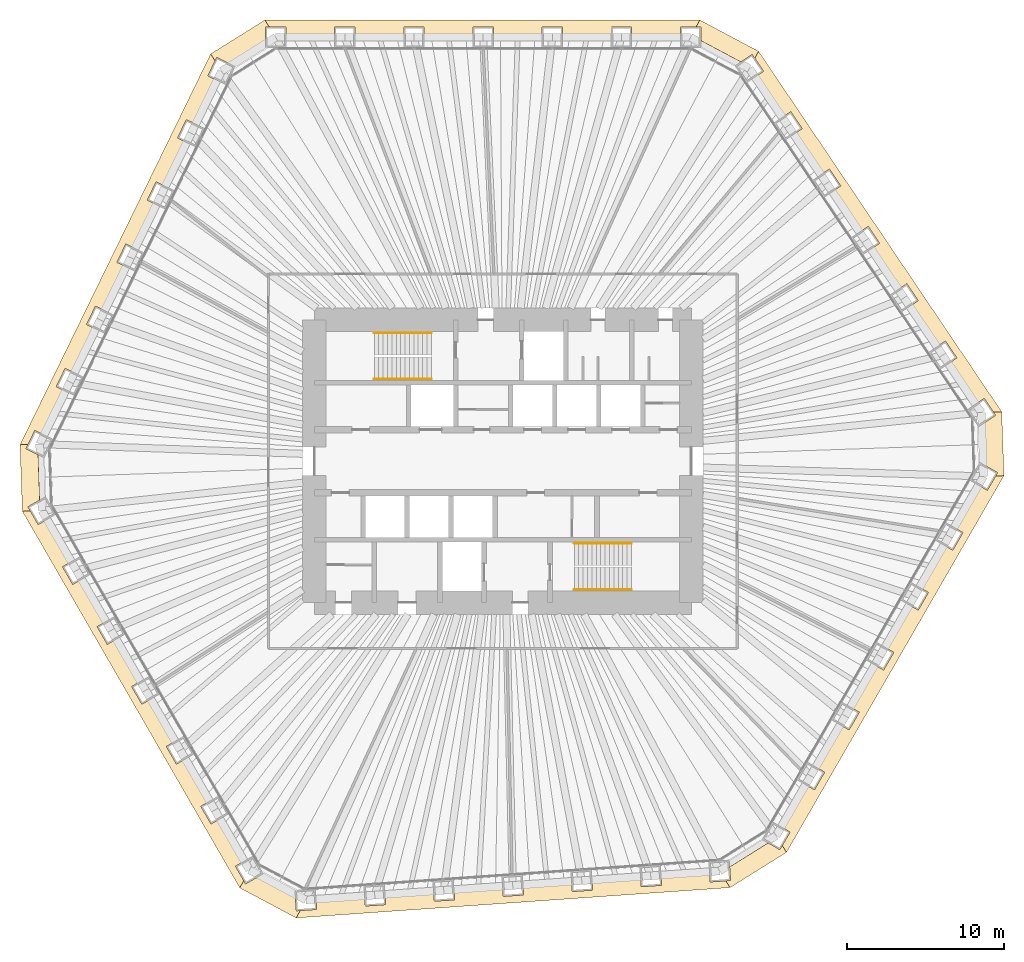
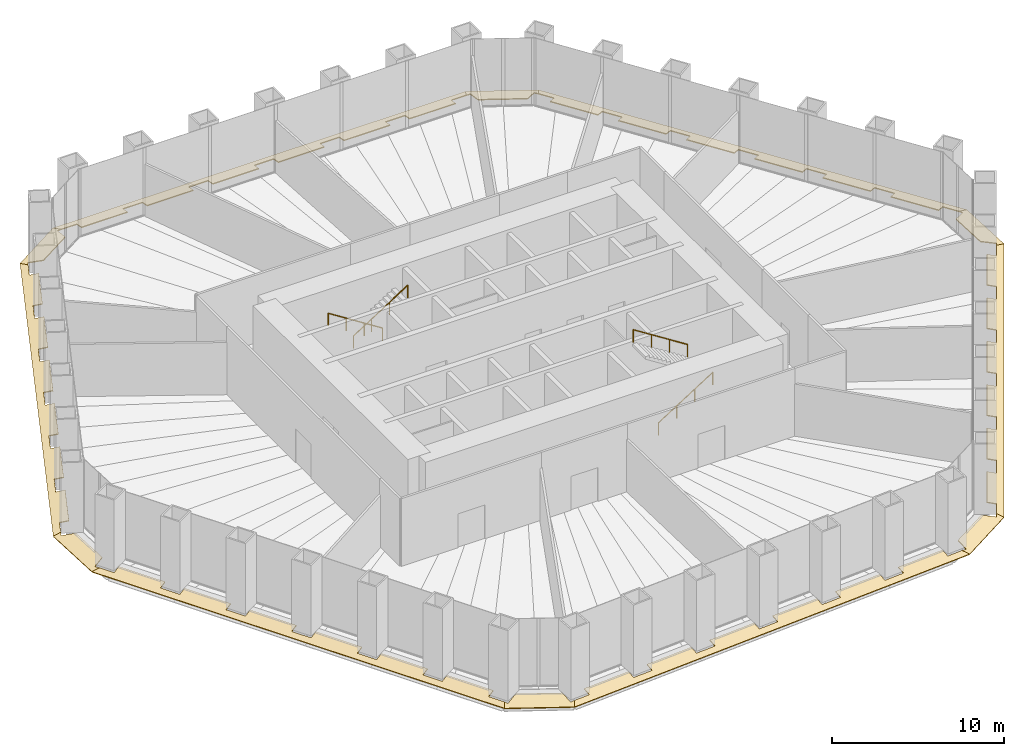
# One storey, part 14 of 14: 12 coverings, 4 railings.
"""IFC4 building model written with IfcOpenShell, lengths in metres."""

from ifc_helpers import new_model, si_unit, direction, frame, origin, origin_2d, place, context, subcontext, project, spatial, polyline, circle, outline, extrude, material, layer, layer_set, type_object, element, save


model = new_model("IFC4")

# Units and contexts
model_context = context("Model", 3, precision=1e-05, world=origin(), true_north=direction((0.0, 1.0)))
body_context = subcontext(model_context, "Body", "Model", "MODEL_VIEW")
ifc_project = project(units=[si_unit("LENGTHUNIT", "METRE"), si_unit("AREAUNIT", "SQUARE_METRE"), si_unit("VOLUMEUNIT", "CUBIC_METRE"), si_unit("PLANEANGLEUNIT", "RADIAN"), si_unit("MASSUNIT", "GRAM", prefix="KILO")], contexts=[model_context])

# Site, building, storey
site_placement = place(None, origin())
site = spatial("IfcSite", under=ifc_project, at=site_placement, CompositionType="ELEMENT")
building_placement = place(site_placement, origin())
building = spatial("IfcBuilding", under=site, at=building_placement, Name="Qingtian Harvest Tower", CompositionType="ELEMENT")
storey_placement = place(building_placement, frame((0.0, 0.0, 57.0)))
storey = spatial("IfcBuildingStorey", under=building, at=storey_placement, Name="L11", CompositionType="ELEMENT", Elevation=57.0)

# Coverings
ifc_material_1 = material(Name="Bronze-finished aluminium plate", Category="aluminium")
ifc_layer = layer(ifc_material_1, 0.06005859375)
ifc_layer_set = layer_set([ifc_layer], Name="Bronze eave band EB2 mid-tier")
covering_type = type_object("IfcCoveringType", Name="Bronze eave band EB2 mid-tier", PredefinedType="CLADDING", material=ifc_layer_set)
covering_1_placement = place(storey_placement, frame((-13.821533203125, 27.10009765625, -0.02001953125), z_axis=(0.0, 0.196096135826, 0.980584675341), x_axis=(0.0, 0.980584675341, -0.196096135826)))
element("IfcCovering", 1, at=covering_1_placement, inside=storey, type_object=covering_type, Name="Eave band EB2 L11 1", PredefinedType="CLADDING", context=body_context, shape_type="SweptSolid", body=[
    extrude(outline(polyline([(0.0, 0.0), (0.5606738159155767, 0.0), (0.5606738159155767, 1.0561523437499998), (1.019794327499821, 1.3374023437499998), (1.019794327499821, -26.362548828124993), (0.5606738159155767, -26.123291015624993), (0.5606738159155767, -25.127685546874993), (0.0, -25.127685546874993), (0.0, -22.023193359374996), (0.5606738159155767, -22.023193359374996), (0.5606738159155767, -20.723144531249996), (0.0, -20.723144531249996), (0.0, -17.618408203124996), (0.5606738159155767, -17.618408203124996), (0.5606738159155767, -16.318359374999996), (0.0, -16.318359374999996), (0.0, -13.213867187499996), (0.5606738159155767, -13.213867187499996), (0.5606738159155767, -11.913818359374998), (0.0, -11.913818359374998), (0.0, -8.809326171874998), (0.5606738159155767, -8.809326171874998), (0.5606738159155767, -7.509277343749998), (0.0, -7.509277343749998), (0.0, -4.404785156249999), (0.5606738159155767, -4.404785156249999), (0.5606738159155767, -3.104736328124999), (0.0, -3.104736328124999), (0.0, 0.0)])), origin(), (0.0, 0.0, -1.0), 0.06005859375),
])
covering_2_placement = place(storey_placement, frame((12.606201171875, 26.78271484375, -0.02001953125), z_axis=(0.081616170995, 0.153500679103, 0.984772228562), x_axis=(7.478439e-06, 0.988068493741, -0.154015101921)))
element("IfcCovering", 2, at=covering_2_placement, inside=storey, type_object=covering_type, Name="Eave band EB2 L11 2", PredefinedType="CLADDING", context=body_context, shape_type="SweptSolid", body=[
    extrude(outline(polyline([(0.0, 0.0), (0.8776717910726501, 0.0), (0.8737589746143575, 0.3054752171395555), (1.3324594638570608, 0.06541313666985943), (-0.6335179762014777, -3.689315815985909), (-1.0919772377845764, -3.4492506648405654), (-0.8388798001175296, -3.27828454795195), (-1.338794453202815, -2.5568804121407798), (0.0, 0.0)])), origin(), (0.0, 0.0, -1.0), 0.06005859375),
])
covering_3_placement = place(storey_placement, frame((16.14453125, 24.52734375, -0.02001953125), z_axis=(0.162572694251, 0.109656749491, 0.980584272959), x_axis=(0.812937555356, 0.548341177979, -0.196098147935)))
element("IfcCovering", 3, at=covering_3_placement, inside=storey, type_object=covering_type, Name="Eave band EB2 L11 3", PredefinedType="CLADDING", context=body_context, shape_type="SweptSolid", body=[
    extrude(outline(polyline([(0.0, 0.0), (0.560967139704664, -2.0111950299606107e-17), (0.5610755128821447, 0.9955898071058692), (1.0199699981978012, 1.234821968269785), (1.0196661203927952, -26.465111113922433), (0.5607465607373809, -26.183965508397076), (0.5608451591270613, -25.127704423508987), (-0.00012198057760137715, -25.127704423508987), (-3.35813356677761e-05, -22.02297691815451), (0.56079968601109, -22.02317931902998), (0.5607992614326358, -20.723013950501738), (-0.00016787827202868755, -20.723013950501738), (-7.94790300950865e-05, -17.61828644514726), (0.5607537883166644, -17.618488846022732), (0.5609518348210614, -16.318460000497623), (-1.530488360312887e-05, -16.31846000049762), (-6.0777999573602415e-05, -13.213934896018614), (0.5609063617050909, -13.213934896018612), (0.5609059371266358, -11.913769527490372), (-6.120257802866291e-05, -11.913769527490372), (-0.00010667569400002463, -8.809244423011364), (0.5608604640106645, -8.809244423011366), (0.5607261670743044, -7.509281455358595), (9.137081039645167e-05, -7.5092155774862555), (4.589769442553404e-05, -4.404690473007248), (0.5608145663162392, -4.404553950004116), (0.5608787404627298, -3.104727505354478), (4.547311597069559e-05, -3.104525104479007), (0.0, 0.0)])), origin(), (0.0, 0.0, -1.0), 0.06005859375),
])
covering_4_placement = place(storey_placement, frame((30.618408203125, 2.41259765625, -0.02001953125), z_axis=(0.167090764902, 0.005836940402, 0.985924239691), x_axis=(0.820643173673, 0.553425295759, -0.142355974647)))
element("IfcCovering", 4, at=covering_4_placement, inside=storey, type_object=covering_type, Name="Eave band EB2 L11 4", PredefinedType="CLADDING", context=body_context, shape_type="SweptSolid", body=[
    extrude(outline(polyline([(0.0, 0.0), (0.9264033667533005, -6.071532165918825e-17), (0.9233528824418761, 0.24473703662410878), (1.3816113419977263, -0.03748485413125728), (-0.7531814744455725, -3.5033773387160103), (-1.2114399340014221, -3.2211554479606446), (-0.9914629168596766, -3.1137673412445737), (-1.408098253660865, -2.2861350565234138), (0.0, 0.0)])), origin(), (0.0, 0.0, -1.0), 0.06005859375),
])
covering_5_placement = place(storey_placement, frame((30.380126953125, -1.580322265625, -0.02001953125), z_axis=(0.169831478229, -0.098053665689, 0.980582861184), x_axis=(0.8492870149, -0.490157438957, -0.196105204821)))
element("IfcCovering", 5, at=covering_5_placement, inside=storey, type_object=covering_type, Name="Eave band EB2 L11 5", PredefinedType="CLADDING", context=body_context, shape_type="SweptSolid", body=[
    extrude(outline(polyline([(0.0, 0.0), (0.5608211876231275, 1.0970770732837698e-17), (0.5610355545411008, 1.056062275036254), (1.019961885493393, 1.3371968256814386), (1.015527628109012, -26.36273546752884), (0.556725644219439, -26.123439636791893), (0.5568379852802805, -25.127760509902224), (-0.00410286968634388, -25.12754905943156), (-0.0035772049059641375, -22.02313705611712), (0.5572439827171627, -22.023137056117122), (0.5576188288226975, -20.7231509811158), (-0.003322026143925072, -20.72293953064513), (-0.002916028707043772, -17.618316076860026), (0.5580248262595788, -17.618527527330695), (0.5580726595589962, -16.31845204014438), (-0.0027485280641315057, -16.31845204014438), (-0.0021351851646267406, -13.213706548073601), (0.558805669801995, -13.213917998544268), (0.5588535031014124, -11.913842511357954), (-0.0019676845217153627, -11.913842511357956), (-0.0015616870848331743, -8.80921905757285), (0.5592595005382941, -8.809219057572848), (0.5596343466438289, -7.50923298257153), (-0.0011868409792983314, -7.509232982571531), (-0.0007808435424165872, -4.404609528786425), (0.5600403440807109, -4.404609528786425), (0.5602078447236235, -3.1047454920707787), (-0.0007330102429994323, -3.1045340416001093), (0.0, 0.0)])), origin(), (0.0, 0.0, -1.0), 0.06005859375),
])
covering_6_placement = place(storey_placement, frame((16.891357421875, -24.30859375, -0.02001953125), z_axis=(0.092131944712, -0.147437831446, 0.984770933071), x_axis=(0.85575133074, -0.493933179317, -0.154011929105)))
element("IfcCovering", 6, at=covering_6_placement, inside=storey, type_object=covering_type, Name="Eave band EB2 L11 6", PredefinedType="CLADDING", context=body_context, shape_type="SweptSolid", body=[
    extrude(outline(polyline([(0.0, 0.0), (0.8778551708686326, -1.214306433183765e-17), (0.8739884564988708, 0.3052182220888916), (1.3323754440547413, 0.06512840434881205), (-0.6338901866315008, -3.689127023876121), (-1.0922771741873716, -3.4490372061360417), (-0.8391658562829967, -3.278383879860535), (-1.3391776058547915, -2.5568727469315657), (0.0, 0.0)])), origin(), (0.0, 0.0, -1.0), 0.06005859375),
])
covering_7_placement = place(storey_placement, frame((13.1689453125, -26.245361328125, -0.02001953125), z_axis=(0.013679864339, -0.19564524287, 0.980579318696), x_axis=(0.068347364605, -0.97819447867, -0.19612291975)))
element("IfcCovering", 7, at=covering_7_placement, inside=storey, type_object=covering_type, Name="Eave band EB2 L11 7", PredefinedType="CLADDING", context=body_context, shape_type="SweptSolid", body=[
    extrude(outline(polyline([(0.0, 0.0), (0.5607882919193751, -1.3235736833795697e-17), (0.5608610933439159, 0.9958249466485221), (1.0196906270076058, 1.2350679524874137), (1.0210752305529798, -26.464967324182687), (0.5621538675906373, -26.183650654215988), (0.5622716264261663, -25.127623894368483), (0.0012445174953972238, -25.127606877047395), (0.0010970967915489016, -22.022877502096712), (0.5621242057223182, -22.022894519417797), (0.5619222659556694, -20.722843346097168), (0.0011339740362943385, -20.722843346097168), (0.0009698669641342583, -17.618357517970633), (0.5617581588835096, -17.618357517970633), (0.5617950361282548, -16.31832336197109), (0.0007679271974858626, -16.318306344650008), (0.0006038201253257824, -13.213820516523471), (0.5616309290560949, -13.213837533844552), (0.5614289892894464, -11.913786360523927), (0.0006406973700712193, -11.913786360523927), (0.0004932766662230081, -8.809056985573243), (0.5612815685855982, -8.80905698557324), (0.5613184458303435, -7.509022829573699), (0.0002746505312626324, -7.509249359076765), (0.00012722982741447675, -4.40451998412608), (0.5611543387581835, -4.404537001447163), (0.5609523989915349, -3.1044858281265366), (0.0001641070721599136, -3.1044858281265366), (0.0, 0.0)])), origin(), (0.0, 0.0, -1.0), 0.06005859375),
])
covering_8_placement = place(storey_placement, frame((-13.2197265625, -27.72265625, -0.02001953125), z_axis=(-0.078489263628, -0.147619601514, 0.985924890011), x_axis=(0.069045910349, -0.98740602905, -0.142344638322)))
element("IfcCovering", 8, at=covering_8_placement, inside=storey, type_object=covering_type, Name="Eave band EB2 L11 8", PredefinedType="CLADDING", context=body_context, shape_type="SweptSolid", body=[
    extrude(outline(polyline([(0.0, 0.0), (0.9264566709123838, 3.469446951953614e-18), (0.9232438504105916, 0.2447310696504926), (1.3814619819590999, -0.03772959808210806), (-0.7535116107212787, -3.503299848080811), (-1.211746599181493, -3.2210819833363393), (-0.9916684283436331, -3.113623907941632), (-1.4085619065945465, -2.286121625882946), (0.0, 0.0)])), origin(), (0.0, 0.0, -1.0), 0.06005859375),
])
covering_9_placement = place(storey_placement, frame((-16.55859375, -25.519775390625, -0.02001953125), z_axis=(-0.169845820602, -0.098060991741, 0.980579644457), x_axis=(-0.849284229026, -0.490155830726, -0.196121288831)))
element("IfcCovering", 9, at=covering_9_placement, inside=storey, type_object=covering_type, Name="Eave band EB2 L11 9", PredefinedType="CLADDING", context=body_context, shape_type="SweptSolid", body=[
    extrude(outline(polyline([(0.0, 0.0), (0.5608211855960644, -3.3867765363015945e-17), (0.5607264859738856, 1.0562737255189742), (1.0195271960199663, 1.3375709687842268), (1.0237541034731596, -26.36223928616937), (0.5648290465957102, -26.12310614805934), (0.5647167055655979, -25.127427021162116), (0.0037758530186735584, -25.12763847165249), (0.003369855860350768, -22.02301501785298), (0.5641910414564146, -22.02301501785298), (0.5641432078728423, -20.722939530640517), (0.003202355325916173, -20.723150981130892), (0.0025890133851174113, -17.618405489079844), (0.5635298659320427, -17.61819403858947), (0.5633623653976081, -16.318330001867384), (0.0025411798015442244, -16.31833000186738), (0.0020155156923618023, -13.213917998558246), (0.5629563682392871, -13.213706548067869), (0.5625815229223747, -11.913720473094243), (0.001760337326310868, -11.913720473094244), (0.0013543401679894096, -8.809097019294734), (0.5621755257640533, -8.809097019294732), (0.5620080252296191, -7.509232982572647), (0.0011868396335543707, -7.509232982572647), (0.0005734976927562752, -4.404487490521597), (0.5613946832888206, -4.404487490521597), (0.5613468497052465, -3.1044120033091342), (0.0004059971583212363, -3.10462345379951), (0.0, 0.0)])), origin(), (0.0, 0.0, -1.0), 0.06005859375),
])
covering_10_placement = place(storey_placement, frame((-29.49755859375, -2.47412109375, -0.02001953125), z_axis=(-0.173778957663, -0.006070906036, 0.984765971169), x_axis=(-0.85574852928, -0.493924115709, -0.154056556356)))
element("IfcCovering", 10, at=covering_10_placement, inside=storey, type_object=covering_type, Name="Eave band EB2 L11 10", PredefinedType="CLADDING", context=body_context, shape_type="SweptSolid", body=[
    extrude(outline(polyline([(0.0, 0.0), (0.8778551724401471, 1.214306433183765e-17), (0.8738095378782891, 0.30554831942185345), (1.3323043527756577, 0.06559130742603986), (-0.6331511830396507, -3.6892914428580235), (-1.0916459979370197, -3.4493344308622094), (-0.8382755728668776, -3.2785012377228657), (-1.3384495323521652, -2.557182775577832), (0.0, 0.0)])), origin(), (0.0, 0.0, -1.0), 0.06005859375),
])
covering_11_placement = place(storey_placement, frame((-29.313720703125, 1.718017578125, -0.02001953125), z_axis=(-0.176281021353, 0.085977761924, 0.980577802097), x_axis=(-0.881366787109, 0.429796943582, -0.196130502137)))
element("IfcCovering", 11, at=covering_11_placement, inside=storey, type_object=covering_type, Name="Eave band EB2 L11 11", PredefinedType="CLADDING", context=body_context, shape_type="SweptSolid", body=[
    extrude(outline(polyline([(0.0, 0.0), (0.560633468355945, -1.6920330154351904e-17), (0.5607989998803907, 0.9955780649219709), (1.0196681640202712, 1.2348184363137034), (1.0178208076341448, -26.465056353952512), (0.5590949545402762, -26.18379712073797), (0.5591000599390058, -25.12772706346302), (-0.0018535167496303018, -25.127614634120178), (-0.0014944908858716133, -22.02306477362431), (0.5593541549083324, -22.022957763808904), (0.5593790350671731, -20.72296104328013), (-0.0014696107270317782, -20.723068053095535), (-0.0014306931959620073, -17.618405763256824), (0.5595228834926714, -17.618518192599666), (0.5597629410897699, -16.318414462255486), (-0.0011906355988626771, -16.318302032912644), (-0.0010467871733643719, -13.21385918223218), (0.5598018586208396, -13.213752172416775), (0.5599316696741098, -11.913974891046246), (-0.0010219070145236486, -11.913862461703406), (-0.0007678120451957149, -8.809093162049288), (0.5601857646434377, -8.80920559139213), (0.560210644802278, -7.509208870863355), (-0.0006380009919264573, -7.509315880678761), (-0.00038390602259785744, -4.404546581024644), (0.5605696706660354, -4.404659010367485), (0.5605945508248756, -3.1046622898387106), (-0.0003590258637575783, -3.10454986049587), (0.0, 0.0)])), origin(), (0.0, 0.0, -1.0), 0.06005859375),
])
covering_12_placement = place(storey_placement, frame((-17.3984375, 25.31005859375, -0.02001953125), z_axis=(-0.088599950255, 0.141788332554, 0.98592399178), x_axis=(-0.889652443133, 0.433884740251, -0.142346628357)))
element("IfcCovering", 12, at=covering_12_placement, inside=storey, type_object=covering_type, Name="Eave band EB2 L11 12", PredefinedType="CLADDING", context=body_context, shape_type="SweptSolid", body=[
    extrude(outline(polyline([(0.0, 0.0), (0.9267167106852292, -6.938893903907228e-18), (0.9235985653714325, 0.24489444562952822), (1.381646769520026, -0.037467034025485034), (-0.7533606349233378, -3.5031578884944974), (-1.2117319682670935, -3.2206885521192543), (-0.9916211315380722, -3.113359574973687), (-1.4082564498231869, -2.28591145187374), (0.0, 0.0)])), origin(), (0.0, 0.0, -1.0), 0.06005859375),
])

# Railings
ifc_material_2 = material(Name="Stainless steel handrail", Category="steel")
railing_type = type_object("IfcRailingType", Name="Handrail HR1", PredefinedType="HANDRAIL", material=ifc_material_2)
railing_1_placement = place(storey_placement, frame((-4.550048828125, 8.169921875, 0.178466796875)))
element("IfcRailing", 13, at=railing_1_placement, inside=storey, type_object=railing_type, Name="Handrail HR1 S1 flight 1", PredefinedType="HANDRAIL", context=body_context, shape_type="SweptSolid", body=[
    extrude(circle(Radius=0.02392578125, at=origin_2d()), frame((0.0, 0.0, 0.8759765625), z_axis=(-0.843111507901, 0.0, 0.53773877045), x_axis=(0.0, -1.0, 0.0)), (0.0, 0.0, 1.0), 4.317138671875),
    extrude(circle(Radius=0.02099609375, at=origin_2d()), origin(), (0.0, 0.0, 1.0), 0.851806640625),
    extrude(circle(Radius=0.02099609375, at=origin_2d()), frame((-1.21337890625, 0.0, 0.77392578125)), (0.0, 0.0, 1.0), 0.851806640625),
    extrude(circle(Radius=0.02099609375, at=origin_2d()), frame((-2.426513671875, 0.0, 1.547607421875)), (0.0, 0.0, 1.0), 0.851806640625),
    extrude(circle(Radius=0.02099609375, at=origin_2d()), frame((-3.639892578125, 0.0, 2.321533203125)), (0.0, 0.0, 1.0), 0.851806640625),
])
for number, where, name in (
    (14, (-8.18994140625, 5.22998046875, 2.678466796875), "Handrail HR1 S1 flight 2"),
    (15, (4.550048828125, -8.169921875, 0.178466796875), "Handrail HR1 S2 flight 1"),
):
    element("IfcRailing", number, at=place(storey_placement, frame(where)), inside=storey, type_object=railing_type, Name=name, PredefinedType="HANDRAIL", context=body_context, shape_type="SweptSolid", body=[
        extrude(circle(Radius=0.02392578125, at=origin_2d()), frame((0.0, 0.0, 0.8759765625), z_axis=(0.843111507901, 0.0, 0.53773877045), x_axis=(0.0, 1.0, 0.0)), (0.0, 0.0, 1.0), 4.317138671875),
        extrude(circle(Radius=0.02099609375, at=origin_2d()), origin(), (0.0, 0.0, 1.0), 0.851806640625),
        extrude(circle(Radius=0.02099609375, at=origin_2d()), frame((1.21337890625, 0.0, 0.77392578125)), (0.0, 0.0, 1.0), 0.851806640625),
        extrude(circle(Radius=0.02099609375, at=origin_2d()), frame((2.426513671875, 0.0, 1.547607421875)), (0.0, 0.0, 1.0), 0.851806640625),
        extrude(circle(Radius=0.02099609375, at=origin_2d()), frame((3.639892578125, 0.0, 2.321533203125)), (0.0, 0.0, 1.0), 0.851806640625),
    ])
railing_2_placement = place(storey_placement, frame((8.18994140625, -5.22998046875, 2.678466796875)))
element("IfcRailing", 16, at=railing_2_placement, inside=storey, type_object=railing_type, Name="Handrail HR1 S2 flight 2", PredefinedType="HANDRAIL", context=body_context, shape_type="SweptSolid", body=[
    extrude(circle(Radius=0.02392578125, at=origin_2d()), frame((0.0, 0.0, 0.8759765625), z_axis=(-0.843111507901, 0.0, 0.53773877045), x_axis=(0.0, -1.0, 0.0)), (0.0, 0.0, 1.0), 4.317138671875),
    extrude(circle(Radius=0.02099609375, at=origin_2d()), origin(), (0.0, 0.0, 1.0), 0.851806640625),
    extrude(circle(Radius=0.02099609375, at=origin_2d()), frame((-1.21337890625, 0.0, 0.77392578125)), (0.0, 0.0, 1.0), 0.851806640625),
    extrude(circle(Radius=0.02099609375, at=origin_2d()), frame((-2.426513671875, 0.0, 1.547607421875)), (0.0, 0.0, 1.0), 0.851806640625),
    extrude(circle(Radius=0.02099609375, at=origin_2d()), frame((-3.639892578125, 0.0, 2.321533203125)), (0.0, 0.0, 1.0), 0.851806640625),
])

save(model, "model.ifc")
